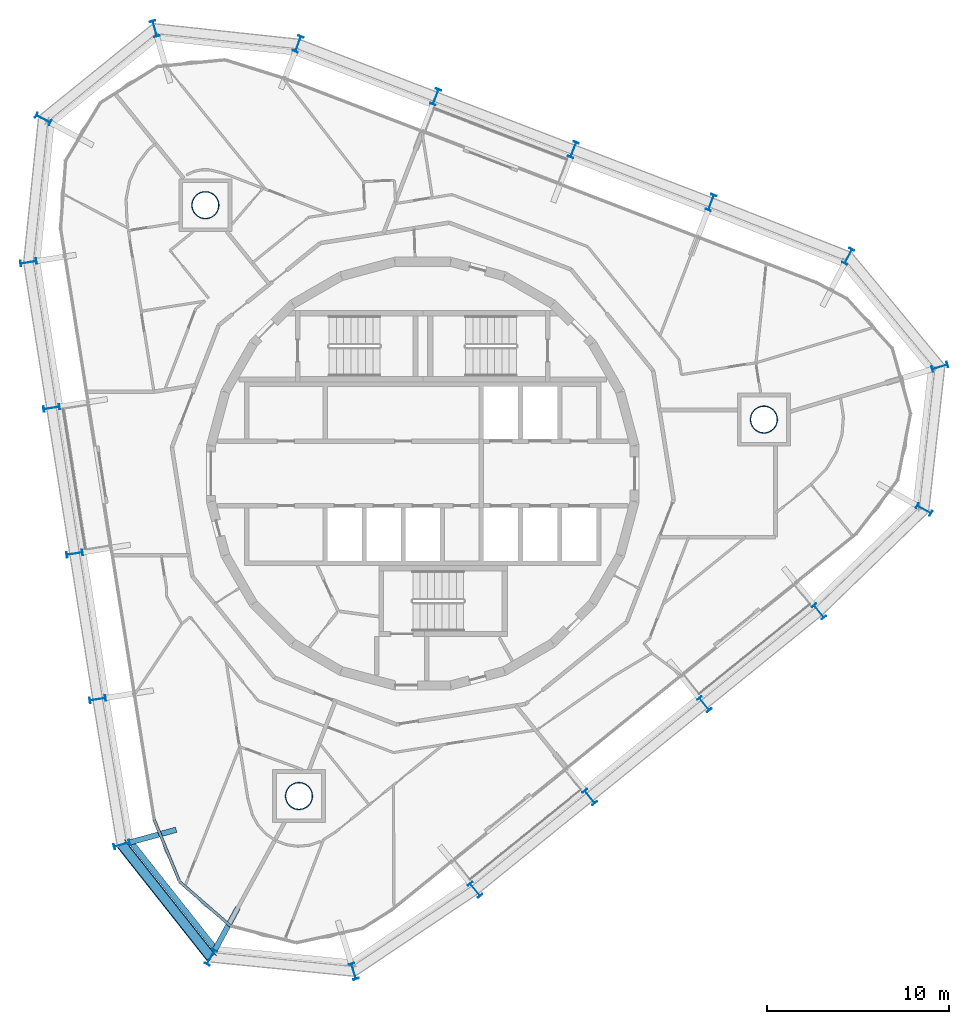
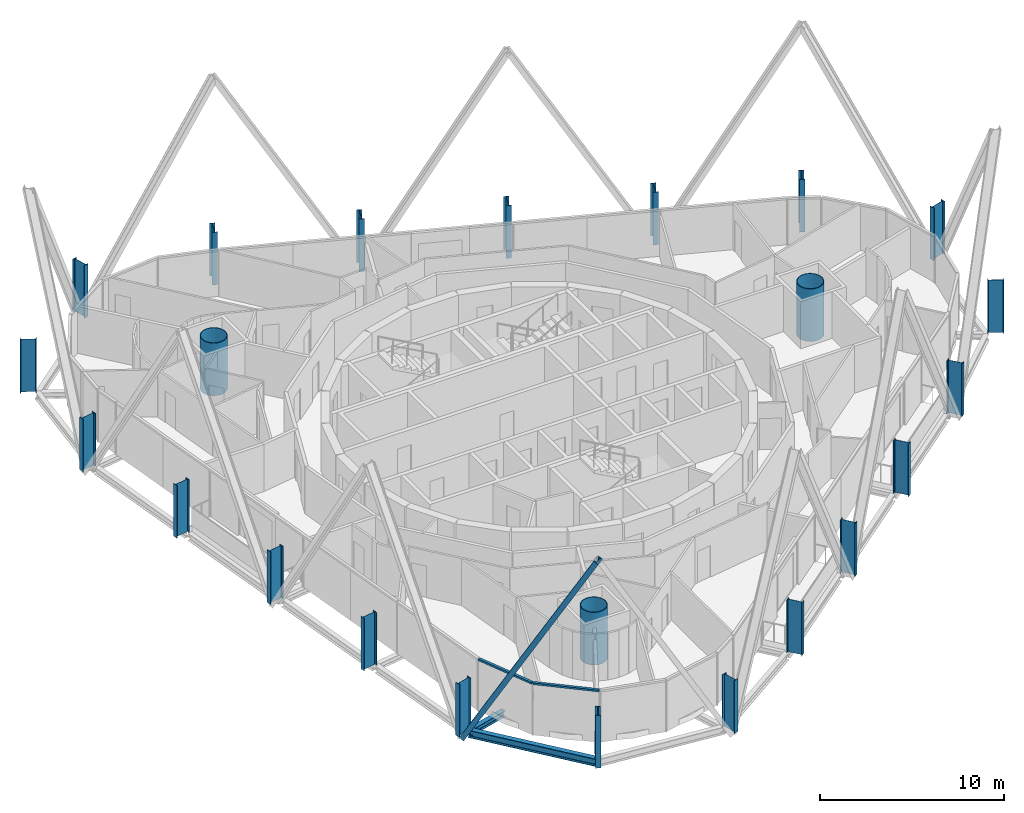
# One storey, part 1 of 18: 23 columns, 3 beams, 3 members, 1 element without a shape of its own.
"""IFC4 building model written with IfcOpenShell, lengths in metres."""

from ifc_helpers import new_model, si_unit, direction, frame, origin, origin_2d, place, context, subcontext, project, spatial, rectangle, hollow_circle, i_section, extrude, material, layer, layer_set, material_profile, profile_set, type_object, element, aggregate, save


model = new_model("IFC4")

# Units and contexts
model_context = context("Model", 3, precision=1e-05, world=origin(), true_north=direction((0.0, 1.0)))
body_context = subcontext(model_context, "Body", "Model", "MODEL_VIEW")
ifc_project = project(units=[si_unit("LENGTHUNIT", "METRE"), si_unit("AREAUNIT", "SQUARE_METRE"), si_unit("VOLUMEUNIT", "CUBIC_METRE"), si_unit("PLANEANGLEUNIT", "RADIAN"), si_unit("MASSUNIT", "GRAM", prefix="KILO")], contexts=[model_context])

# Site, building, storey
site_placement = place(None, origin())
site = spatial("IfcSite", under=ifc_project, at=site_placement, CompositionType="ELEMENT")
building_placement = place(site_placement, origin())
building = spatial("IfcBuilding", under=site, at=building_placement, Name="Spindle Arch Residences", CompositionType="ELEMENT")
storey_placement = place(building_placement, frame((0.0, 0.0, 277.39990234375)))
storey = spatial("IfcBuildingStorey", under=building, at=storey_placement, Name="L71", CompositionType="ELEMENT", Elevation=277.39990234375)

# Columns
ifc_material_1 = material(Name="Steel S460ML, intumescent coating R 240", Category="steel")
ifc_material_profile_1 = material_profile(ifc_material_1, i_section(OverallWidth=0.300048828125, OverallDepth=0.89990234375, WebThickness=0.0185546875, FlangeThickness=0.034912109375, FilletRadius=0.030029296875, at=origin_2d()), Name="HEB 900")
ifc_profile_set_1 = profile_set([ifc_material_profile_1], Name="Steel S460ML, intumescent coating R 240")
column_type_1 = type_object("IfcColumnType", Name="Exoskeleton post HEB 900", PredefinedType="COLUMN", material=ifc_profile_set_1)
for number, where, z_axis, x_axis, name in (
    (1, (15.48291015625, -12.67822265625, -0.3798828125), (0.0, 0.0, 1.0), (-0.777146167973, -0.629320136024, 0.0), "Exoskeleton post 1"),
    (2, (21.78369140625, -7.575927734375, -0.3798828125), (0.0, 0.0, 1.0), (-0.777146167973, -0.629320136024, 0.0), "Exoskeleton post 2"),
    (3, (27.56494140625, -1.975830078125, -0.3798828125), (0.0, 0.0, 1.0), (-0.489802299008, -0.871833532211, 0.0), "Exoskeleton post 3"),
    (4, (28.43505859375, 5.86767578125, -0.3798828125), (0.0, 0.0, 1.0), (0.286784074183, -0.957995247794, 0.0), "Exoskeleton post 4"),
    (5, (23.398193359375, 11.94287109375, -0.3798828125), (0.0, 0.0, 1.0), (0.888285893192, -0.45929094478, 0.0), "Exoskeleton post 5"),
    (6, (15.853515625, 14.9052734375, -0.3798828125), (0.0, 0.0, 1.0), (0.933580354843, -0.35836813621, 0.0), "Exoskeleton post 6"),
    (7, (8.2841796875, 17.810791015625, -0.3798828125), (0.0, 0.0, 1.0), (0.933580354843, -0.35836813621, 0.0), "Exoskeleton post 7"),
    (8, (0.715087890625, 20.71630859375, -0.3798828125), (0.0, 0.0, 1.0), (0.933580354843, -0.35836813621, 0.0), "Exoskeleton post 8"),
    (9, (-6.85400390625, 23.621826171875, -0.3798828125), (0.0, 0.0, 1.0), (0.933580354843, -0.35836813621, 0.0), "Exoskeleton post 9"),
    (10, (-14.7373046875, 24.468994140625, -0.3798828125), (0.0, 0.0, 1.0), (0.961245152333, 0.275695043693, 0.0), "Exoskeleton post 10"),
    (11, (-20.870361328125, 19.502685546875, -0.3798828125), (0.0, 0.0, 1.0), (0.469525073676, 0.882919138534, 0.0), "Exoskeleton post 11"),
    (12, (-21.6806640625, 11.615234375, -0.3798828125), (0.0, 0.0, 1.0), (-0.156434064006, 0.987688404113, 0.0), "Exoskeleton post 12"),
    (13, (-20.412353515625, 3.607666015625, -0.3798828125), (0.0, 0.0, 1.0), (-0.156434064006, 0.987688404113, 0.0), "Exoskeleton post 13"),
    (14, (-19.143798828125, -4.400146484375, -0.3798828125), (0.0, 0.0, 1.0), (-0.156434064006, 0.987688404113, 0.0), "Exoskeleton post 14"),
    (15, (-17.87548828125, -12.407958984375, -0.3798828125), (0.0, 0.0, 1.0), (-0.156434064006, 0.987688404113, 0.0), "Exoskeleton post 15"),
    (16, (-16.546630859375, -20.40380859375, -0.3798828125), (0.0, 0.0, 1.0), (-0.264568938302, 0.964366775084, 0.0), "Exoskeleton post 16"),
    (17, (-11.651611328125, -26.59375, -0.3798828125), (0.0, 0.0, 1.0), (-0.877434810632, 0.479695896472, 0.0), "Exoskeleton post 17"),
    (18, (-3.79833984375, -27.373291015625, -0.3798828125), (0.0, 0.0, 1.0), (-0.95461733225, -0.297835103654, 0.0), "Exoskeleton post 18"),
    (19, (2.88134765625, -22.8828125, -0.3798828125), (0.0, 0.0, 1.0), (-0.777146167973, -0.629320136024, 0.0), "Exoskeleton post 19"),
    (20, (9.18212890625, -17.780517578125, -0.3798828125), (0.0, 0.0, 1.0), (-0.777146167973, -0.629320136024, 0.0), "Exoskeleton post 20"),
):
    element("IfcColumn", number, at=place(storey_placement, frame(where, z_axis=z_axis, x_axis=x_axis)), inside=storey, type_object=column_type_1, Name=name, PredefinedType="COLUMN", context=body_context, shape_type="SweptSolid", body=[
        extrude(i_section(OverallWidth=0.300048828125, OverallDepth=0.89990234375, WebThickness=0.0185546875, FlangeThickness=0.034912109375, FilletRadius=0.030029296875, at=origin_2d()), origin(), (0.0, 0.0, 1.0), 3.5),
    ])
ifc_material_2 = material(Name="Concrete C50/60 filled steel tube S460ML, intumescent coating R 240", Category="concrete")
ifc_material_profile_2 = material_profile(ifc_material_2, hollow_circle(Radius=0.75, WallThickness=0.034912109375, at=origin_2d()), Name="CFT D1500x35")
ifc_profile_set_2 = profile_set([ifc_material_profile_2], Name="Concrete C50/60 filled steel tube S460ML, intumescent coating R 240")
column_type_2 = type_object("IfcColumnType", Name="Mega-column CFT D1500x35", PredefinedType="COLUMN", material=ifc_profile_set_2)
for number, where, z_axis, x_axis, name in (
    (21, (18.759521484375, 2.97119140625, -0.3798828125), (0.0, 0.0, 1.0), (1.0, 0.0, 0.0), "Mega-column 1"),
    (22, (-11.952880859375, 14.760498046875, -0.3798828125), (0.0, 0.0, 1.0), (1.0, 0.0, 0.0), "Mega-column 2"),
    (23, (-6.806640625, -17.731689453125, -0.3798828125), (0.0, 0.0, 1.0), (1.0, 0.0, 0.0), "Mega-column 3"),
):
    element("IfcColumn", number, at=place(storey_placement, frame(where, z_axis=z_axis, x_axis=x_axis)), inside=storey, type_object=column_type_2, Name=name, PredefinedType="COLUMN", context=body_context, shape_type="SweptSolid", body=[
        extrude(hollow_circle(Radius=0.75, WallThickness=0.034912109375, at=origin_2d()), origin(), (0.0, 0.0, 1.0), 3.5),
    ])

# Curtain wall, members
ifc_material_3 = material(Name="Aluminium bronze unitised frame with tinted glass", Category="aluminium")
ifc_layer = layer(ifc_material_3, 0.159912109375)
ifc_layer_set = layer_set([ifc_layer], Name="CW-D corner wall on the fillet arcs")
curtain_wall_type = type_object("IfcCurtainWallType", Name="CW-D corner wall on the fillet arcs", PredefinedType="NOTDEFINED", material=ifc_layer_set)
curtain_wall_placement = place(storey_placement, origin())
curtain_wall = element("IfcCurtainWall", 24, at=curtain_wall_placement, inside=storey, type_object=curtain_wall_type, Name="CW-D L71 run 5", PredefinedType="NOTDEFINED")
ifc_material_4 = material(Name="Aluminium bronze anodised transom", Category="aluminium")
ifc_material_profile_3 = material_profile(ifc_material_4, rectangle(XDim=0.159912109375, YDim=0.1201171875, at=origin_2d()), Name="TR 120x160")
ifc_profile_set_3 = profile_set([ifc_material_profile_3], Name="Aluminium bronze anodised transom")
member_type_1 = type_object("IfcMemberType", Name="Bronze transom 120x160", PredefinedType="USERDEFINED", material=ifc_profile_set_3)
member_1_placement = place(storey_placement, frame((-14.775634765625, -19.0234375, 3.06005859375), z_axis=(0.379996173922, -0.924988058196, 0.0), x_axis=(0.924988058196, 0.379996173922, 0.0)))
member_1 = element("IfcMember", 25, at=member_1_placement, type_object=member_type_1, Name="CW-D transom 01", ObjectType="TRANSOM", PredefinedType="USERDEFINED", context=body_context, shape_type="SweptSolid", body=[
    extrude(rectangle(XDim=0.159912109375, YDim=0.1201171875, at=origin_2d()), origin(), (0.0, 0.0, 1.0), 3.666748046875),
])
member_2_placement = place(storey_placement, frame((-13.348388671875, -22.462646484375, 3.06005859375), z_axis=(0.754721618998, -0.656045179708, 0.0), x_axis=(0.656045179708, 0.754721618998, 0.0)))
member_2 = element("IfcMember", 26, at=member_2_placement, type_object=member_type_1, Name="CW-D transom 02", ObjectType="TRANSOM", PredefinedType="USERDEFINED", context=body_context, shape_type="SweptSolid", body=[
    extrude(rectangle(XDim=0.159912109375, YDim=0.1201171875, at=origin_2d()), origin(), (0.0, 0.0, 1.0), 3.666748046875),
])
aggregate(curtain_wall, [member_1, member_2])

# Member
ifc_material_5 = material(Name="Steel S460ML, intumescent coating R 240", Category="steel")
ifc_material_profile_4 = material_profile(ifc_material_5, i_section(OverallWidth=0.300048828125, OverallDepth=0.60009765625, WebThickness=0.015380859375, FlangeThickness=0.030029296875, FilletRadius=0.027099609375, at=origin_2d()), Name="HEB 600")
ifc_profile_set_4 = profile_set([ifc_material_profile_4], Name="Steel S460ML, intumescent coating R 240")
member_type_2 = type_object("IfcMemberType", Name="Diagrid diagonal HEB 600", PredefinedType="BRACE", material=ifc_profile_set_4)
member_3_placement = place(storey_placement, frame((-16.546630859375, -20.40380859375, -0.6298828125), z_axis=(0.308375161283, -0.38995231118, 0.867664655791), x_axis=(-0.538200281745, 0.680575059519, 0.497149922147)))
element("IfcMember", 27, at=member_3_placement, inside=storey, type_object=member_type_2, Name="Diagrid diagonal 7.2.16", PredefinedType="BRACE", context=body_context, shape_type="SweptSolid", body=[
    extrude(i_section(OverallWidth=0.300048828125, OverallDepth=0.60009765625, WebThickness=0.015380859375, FlangeThickness=0.030029296875, FilletRadius=0.027099609375, at=origin_2d()), origin(), (0.0, 0.0, 1.0), 15.87353515625),
])

# Beams
ifc_material_6 = material(Name="Steel S460ML, intumescent coating R 120", Category="steel")
ifc_material_profile_5 = material_profile(ifc_material_6, i_section(OverallWidth=0.300048828125, OverallDepth=0.5, WebThickness=0.014404296875, FlangeThickness=0.028076171875, FilletRadius=0.027099609375, at=origin_2d()), Name="HEB 500")
ifc_profile_set_5 = profile_set([ifc_material_profile_5], Name="Steel S460ML, intumescent coating R 120")
beam_type_1 = type_object("IfcBeamType", Name="Exoskeleton edge beam HEB 500", PredefinedType="BEAM", material=ifc_profile_set_5)
beam_1_placement = place(storey_placement, frame((-16.089599609375, -20.2080078125, -0.6298828125), z_axis=(0.62029234527, -0.784370707255, 0.0), x_axis=(0.784370707255, 0.62029234527, 0.0)))
element("IfcBeam", 28, at=beam_1_placement, inside=storey, type_object=beam_type_1, Name="Exoskeleton edge beam 16", PredefinedType="BEAM", context=body_context, shape_type="SweptSolid", body=[
    extrude(i_section(OverallWidth=0.300048828125, OverallDepth=0.5, WebThickness=0.014404296875, FlangeThickness=0.028076171875, FilletRadius=0.027099609375, at=origin_2d()), origin(), (0.0, 0.0, 1.0), 7.631591796875),
])
ifc_material_7 = material(Name="Steel S460ML, intumescent coating R 120", Category="steel")
ifc_material_profile_6 = material_profile(ifc_material_7, i_section(OverallWidth=0.300048828125, OverallDepth=0.389892578125, WebThickness=0.010986328125, FlangeThickness=0.01904296875, FilletRadius=0.027099609375, at=origin_2d()), Name="HEA 400")
ifc_profile_set_6 = profile_set([ifc_material_profile_6], Name="Steel S460ML, intumescent coating R 120")
beam_type_2 = type_object("IfcBeamType", Name="Floor outrigger HEA 400", PredefinedType="BEAM", material=ifc_profile_set_6)
beam_2_placement = place(storey_placement, frame((-16.11279296875, -20.28466796875, -0.574951171875), z_axis=(0.964363028022, 0.264582596148, 0.0), x_axis=(-0.264582596148, 0.964363028022, 0.0)))
element("IfcBeam", 29, at=beam_2_placement, inside=storey, type_object=beam_type_2, Name="Floor outrigger 16", PredefinedType="BEAM", context=body_context, shape_type="SweptSolid", body=[
    extrude(i_section(OverallWidth=0.300048828125, OverallDepth=0.389892578125, WebThickness=0.010986328125, FlangeThickness=0.01904296875, FilletRadius=0.027099609375, at=origin_2d()), origin(), (0.0, 0.0, 1.0), 2.650146484375),
])
beam_3_placement = place(storey_placement, frame((-11.435546875, -26.198974609375, -0.574951171875), z_axis=(0.479710393666, 0.877426884822, 0.0), x_axis=(-0.877426884822, 0.479710393666, 0.0)))
element("IfcBeam", 30, at=beam_3_placement, inside=storey, type_object=beam_type_2, Name="Floor outrigger 17", PredefinedType="BEAM", context=body_context, shape_type="SweptSolid", body=[
    extrude(i_section(OverallWidth=0.300048828125, OverallDepth=0.389892578125, WebThickness=0.010986328125, FlangeThickness=0.01904296875, FilletRadius=0.027099609375, at=origin_2d()), origin(), (0.0, 0.0, 1.0), 2.64990234375),
])

save(model, "model.ifc")
